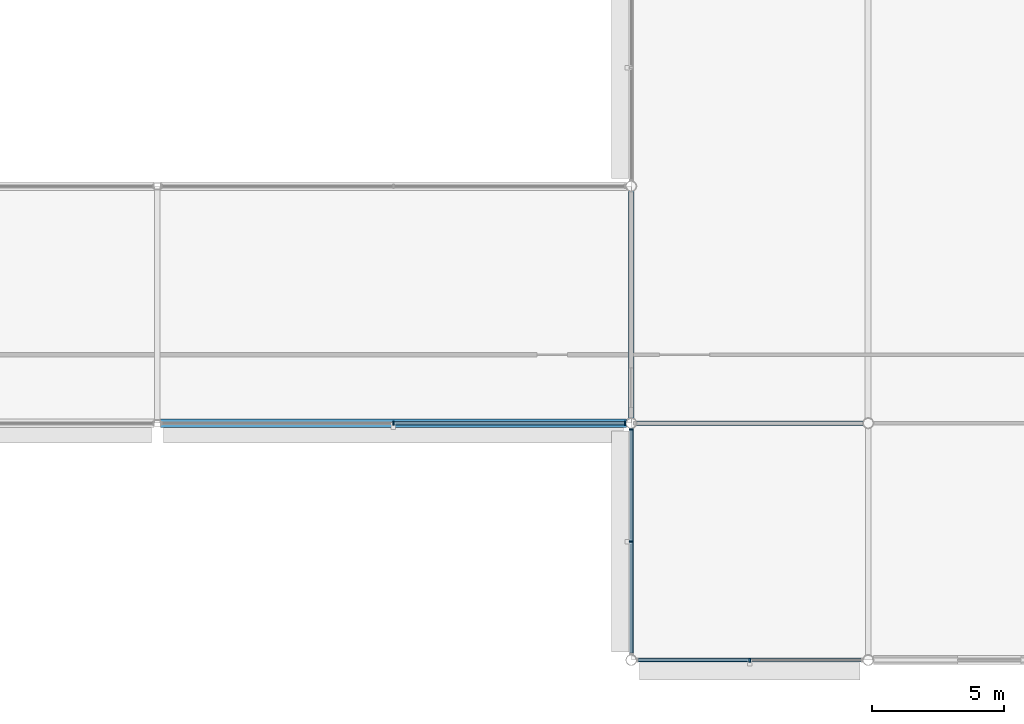
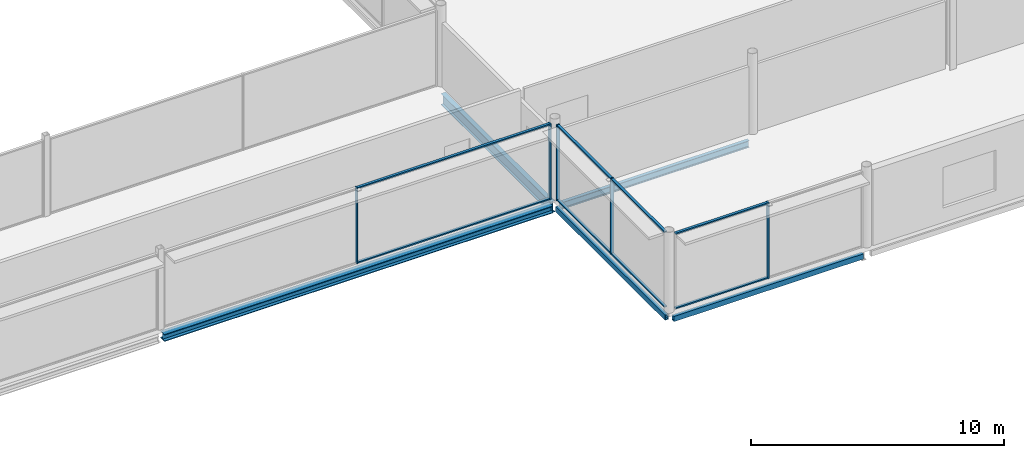
# One storey, part 40 of 96: 13 members, 5 beams, 3 elements without a shape of their own.
"""IFC4 building model written with IfcOpenShell, lengths in metres."""

import ifcopenshell
import ifcopenshell.guid

model = None  # the IFC model being written
_history = None  # IfcOwnerHistory: only IFC2X3 demands one
_inside = {}  # id of a spatial element -> (the spatial element, [elements in it])
_under = {}  # id of a project, library or spatial element -> (it, [spatial elements below it])
_declared = {}  # id of a project -> (the project, [libraries it declares])
_typed = {}  # id of a type object -> (the type object, [elements of that type])
_made_of = {}  # id of a material, layer set ... -> (it, [elements and type objects made of it])


def new_model(schema):
    """Start an empty IFC model of exactly this schema.

    Asked for "IFC4X3", IfcOpenShell would pick the latest addendum, in which some entities
    have other attributes; the version numbers below select the first issue.
    IFC2X3 requires an IfcOwnerHistory on every rooted entity: one is made here for all.
    """
    global model, _history
    if schema == "IFC4X3":
        model = ifcopenshell.file(schema_version=(4, 3, 0, 0))
    else:
        model = ifcopenshell.file(schema=schema)
    _inside.clear()
    _under.clear()
    _declared.clear()
    _typed.clear()
    _made_of.clear()
    _history = None
    if model.schema == "IFC2X3":
        org = make("IfcOrganization", Name="unknown")
        user = make(
            "IfcPersonAndOrganization",
            ThePerson=make("IfcPerson", FamilyName="unknown"),
            TheOrganization=org,
        )
        app = make(
            "IfcApplication",
            ApplicationDeveloper=org,
            Version="unknown",
            ApplicationFullName="unknown",
            ApplicationIdentifier="unknown",
        )
        _history = make(
            "IfcOwnerHistory",
            OwningUser=user,
            OwningApplication=app,
            ChangeAction="ADDED",
            CreationDate=0,
        )
    return model


def make(cls, **values):
    """One entity of the class cls with the attributes given. An attribute that is None is left unset."""
    return model.create_entity(
        cls, **{name: value for name, value in values.items() if value is not None}
    )


def rooted(cls, **values):
    """An entity with a GlobalId (a new one), such as an element, a storey or a relation."""
    return make(cls, GlobalId=ifcopenshell.guid.new(), OwnerHistory=_history, **values)


def si_unit(unit_type, name, prefix=None):
    """IfcSIUnit, for example si_unit("LENGTHUNIT", "METRE", prefix="MILLI")."""
    return make("IfcSIUnit", UnitType=unit_type, Prefix=prefix, Name=name)


def assignment(units):
    """IfcUnitAssignment: the units of a project."""
    return None if units is None else make("IfcUnitAssignment", Units=units)


def point(xyz):
    """IfcCartesianPoint."""
    return None if xyz is None else make("IfcCartesianPoint", Coordinates=xyz)


def direction(xyz):
    """IfcDirection."""
    return None if xyz is None else make("IfcDirection", DirectionRatios=xyz)


def frame(location, z_axis=None, x_axis=None):
    """IfcAxis2Placement3D, a coordinate frame: its origin and axes. An axis left out is left unset."""
    return make(
        "IfcAxis2Placement3D",
        Location=point(location),
        Axis=direction(z_axis),
        RefDirection=direction(x_axis),
    )


def frame_2d(location, x_axis=None):
    """IfcAxis2Placement2D, a coordinate frame in the plane: its origin and x axis."""
    return make(
        "IfcAxis2Placement2D", Location=point(location), RefDirection=direction(x_axis)
    )


def origin():
    """The frame at (0, 0, 0) with its axes left unset."""
    return frame((0.0, 0.0, 0.0))


def origin_2d():
    """The frame at (0, 0) in the plane with its x axis left unset."""
    return frame_2d((0.0, 0.0))


def place(relative_to, where):
    """IfcLocalPlacement: puts the frame where relative to a parent placement (None: the world)."""
    return make(
        "IfcLocalPlacement", PlacementRelTo=relative_to, RelativePlacement=where
    )


def context(
    kind, dimensions, precision=None, world=None, true_north=None, identifier=None
):
    """IfcGeometricRepresentationContext, for example the 3D "Model" context."""
    return make(
        "IfcGeometricRepresentationContext",
        ContextIdentifier=identifier,
        ContextType=kind,
        CoordinateSpaceDimension=dimensions,
        Precision=precision,
        WorldCoordinateSystem=world,
        TrueNorth=true_north,
    )


def subcontext(parent, identifier, kind, view, scale=None):
    """IfcGeometricRepresentationSubContext, for example "Body" below "Model"."""
    return make(
        "IfcGeometricRepresentationSubContext",
        ContextIdentifier=identifier,
        ContextType=kind,
        ParentContext=parent,
        TargetScale=scale,
        TargetView=view,
    )


def project(units=None, contexts=None):
    """IfcProject with its units and contexts."""
    return rooted(
        "IfcProject",
        Name="project",
        RepresentationContexts=contexts,
        UnitsInContext=assignment(units),
    )


def spatial(cls, under=None, at=None, **own):
    """A site, building, storey or space (cls), placed at a placement, below another one or the project."""
    s = rooted(cls, ObjectPlacement=at, **own)
    if under is not None:
        _under.setdefault(under.id(), (under, []))[1].append(s)
    return s


def profile(cls, at=None, kind="AREA", **sizes):
    """A parametric profile (cls). Its sizes go by their IFC names, for example OverallWidth=200.0."""
    return make(cls, ProfileType=kind, Position=at, **sizes)


def rectangle(**sizes):
    """IfcRectangleProfileDef."""
    return profile("IfcRectangleProfileDef", **sizes)


def hollow_rectangle(**sizes):
    """IfcRectangleHollowProfileDef."""
    return profile("IfcRectangleHollowProfileDef", **sizes)


def i_section(**sizes):
    """IfcIShapeProfileDef."""
    return profile("IfcIShapeProfileDef", **sizes)


def extrude(swept, where, along, depth):
    """IfcExtrudedAreaSolid: the profile swept, set in the frame where, extruded along a direction by depth."""
    return make(
        "IfcExtrudedAreaSolid",
        SweptArea=swept,
        Position=where,
        ExtrudedDirection=direction(along),
        Depth=depth,
    )


def shape(context_of_items, identifier, shape_type, items):
    """IfcShapeRepresentation: the items that make up one representation, for example the "Body"."""
    return make(
        "IfcShapeRepresentation",
        ContextOfItems=context_of_items,
        RepresentationIdentifier=identifier,
        RepresentationType=shape_type,
        Items=items,
    )


def material(Name=None, Category=None):
    """IfcMaterial."""
    return make("IfcMaterial", Name=Name, Category=Category)


def layer(
    of_material, thickness, ventilated=None, Name=None, Category=None, Priority=None
):
    """IfcMaterialLayer: one layer of a wall or slab, of a material (None: an air gap)."""
    return make(
        "IfcMaterialLayer",
        Material=of_material,
        LayerThickness=thickness,
        IsVentilated=ventilated,
        Name=Name,
        Category=Category,
        Priority=Priority,
    )


def layer_set(layers, Name=None):
    """IfcMaterialLayerSet."""
    return make("IfcMaterialLayerSet", MaterialLayers=layers, LayerSetName=Name)


def material_profile(
    of_material, cross_section, Name=None, Category=None, Priority=None
):
    """IfcMaterialProfile: a cross section and its material."""
    return make(
        "IfcMaterialProfile",
        Name=Name,
        Material=of_material,
        Profile=cross_section,
        Priority=Priority,
        Category=Category,
    )


def profile_set(profiles, Name=None, composite=None):
    """IfcMaterialProfileSet."""
    return make(
        "IfcMaterialProfileSet",
        Name=Name,
        MaterialProfiles=profiles,
        CompositeProfile=composite,
    )


def made_of(thing, what):
    """Note that an element or type object is made of a material, layer set ...; save() writes the relation."""
    if what is not None:
        _made_of.setdefault(what.id(), (what, []))[1].append(thing)
    return thing


def type_object(cls, material=None, **own):
    """A type object (cls), such as IfcWallType, which elements share."""
    return made_of(rooted(cls, **own), material)


def element(
    cls,
    number,
    at=None,
    inside=None,
    cuts=None,
    type_object=None,
    material=None,
    context=None,
    identifier="Body",
    shape_type=None,
    held_by="IfcProductDefinitionShape",
    body=None,
    shapes=None,
    **own,
):
    """One element of the class cls, such as IfcWall. Its Tag is "e" and its number.

    at: its placement. inside: the storey or other place that contains it. cuts: it is an
    opening in that element (IfcRelVoidsElement). A single representation is given by context,
    identifier, shape_type and body (its items); several are given by shapes. held_by: the class
    of the entity that holds the representations. save() writes the other relations.
    """
    e = rooted(cls, Tag="e%d" % number, ObjectPlacement=at, **own)
    if body is not None:
        shapes = [shape(context, identifier, shape_type, body)]
    if shapes is not None:
        e.Representation = make(held_by, Representations=shapes)
    if inside is not None:
        _inside.setdefault(inside.id(), (inside, []))[1].append(e)
    if cuts is not None:
        rooted(
            "IfcRelVoidsElement", RelatingBuildingElement=cuts, RelatedOpeningElement=e
        )
    if type_object is not None:
        _typed.setdefault(type_object.id(), (type_object, []))[1].append(e)
    return made_of(e, material)


def aggregate(whole, parts):
    """IfcRelAggregates: a whole, such as a stair, and the parts it consists of."""
    return rooted("IfcRelAggregates", RelatingObject=whole, RelatedObjects=parts)


def save(model, path):
    """Write the relations noted so far, then the file.

    IfcRelAggregates (storeys below a building ...), IfcRelContainedInSpatialStructure (elements
    in a storey), IfcRelDefinesByType, IfcRelAssociatesMaterial and IfcRelDeclares: one each for
    every whole, place, type object, material and project.
    """
    for whole, parts in _under.values():
        aggregate(whole, parts)
    for where, things in _inside.values():
        rooted(
            "IfcRelContainedInSpatialStructure",
            RelatedElements=things,
            RelatingStructure=where,
        )
    for kind, things in _typed.values():
        rooted("IfcRelDefinesByType", RelatedObjects=things, RelatingType=kind)
    for what, things in _made_of.values():
        rooted("IfcRelAssociatesMaterial", RelatedObjects=things, RelatingMaterial=what)
    for by, libraries in _declared.values():
        rooted("IfcRelDeclares", RelatingContext=by, RelatedDefinitions=libraries)
    model.write(path)


model = new_model("IFC4")

# Units and contexts
model_context = context("Model", 3, precision=1e-05, world=origin(), true_north=direction((0.0, 1.0)))
body_context = subcontext(model_context, "Body", "Model", "MODEL_VIEW")
ifc_project = project(units=[si_unit("LENGTHUNIT", "METRE"), si_unit("AREAUNIT", "SQUARE_METRE"), si_unit("VOLUMEUNIT", "CUBIC_METRE"), si_unit("PLANEANGLEUNIT", "RADIAN"), si_unit("MASSUNIT", "GRAM", prefix="KILO")], contexts=[model_context])

# Site, building, storey
site_placement = place(None, origin())
site = spatial("IfcSite", under=ifc_project, at=site_placement, CompositionType="ELEMENT")
building_placement = place(site_placement, origin())
building = spatial("IfcBuilding", under=site, at=building_placement, Name="Kisiwana Market Hall", CompositionType="ELEMENT")
storey_placement = place(building_placement, frame((0.0, 0.0, 25.5)))
storey = spatial("IfcBuildingStorey", under=building, at=storey_placement, Name="L05", CompositionType="ELEMENT", Elevation=25.5)

# Beams
ifc_material_1 = material(Name="Steel S355", Category="steel")
ifc_material_profile_1 = material_profile(ifc_material_1, i_section(OverallWidth=0.209228515625, OverallDepth=0.533203125, WebThickness=0.010009765625, FlangeThickness=0.015625, at=origin_2d()), Name="UB 533x210x92")
ifc_profile_set_1 = profile_set([ifc_material_profile_1], Name="Steel S355")
beam_type_1 = type_object("IfcBeamType", Name="BM-GIRD-UB533", PredefinedType="BEAM", material=ifc_profile_set_1)
beam_1_placement = place(storey_placement, frame((153.0, 18.18017578125, -0.58154296875), z_axis=(0.0, 1.0, 0.0), x_axis=(-1.0, 0.0, 0.0)))
element("IfcBeam", 1, at=beam_1_placement, inside=storey, type_object=beam_type_1, Name="Primary girder B-1549", PredefinedType="BEAM", context=body_context, shape_type="SweptSolid", body=[
    extrude(i_section(OverallWidth=0.209228515625, OverallDepth=0.533203125, WebThickness=0.010009765625, FlangeThickness=0.015625, at=origin_2d()), origin(), (0.0, 0.0, 1.0), 8.6396484375),
])
ifc_material_2 = material(Name="Steel S355", Category="steel")
ifc_material_profile_2 = material_profile(ifc_material_2, i_section(OverallWidth=0.159912109375, OverallDepth=0.330078125, WebThickness=0.007568359375, FlangeThickness=0.011474609375, FilletRadius=0.01806640625, at=origin_2d()), Name="IPE 330")
ifc_profile_set_2 = profile_set([ifc_material_profile_2], Name="Steel S355")
beam_type_2 = type_object("IfcBeamType", Name="BM-JOIST-IPE330", PredefinedType="JOIST", material=ifc_profile_set_2)
beam_2_placement = place(storey_placement, frame((153.182373046875, 18.0, -0.47998046875), z_axis=(1.0, 0.0, 0.0), x_axis=(0.0, 1.0, 0.0)))
element("IfcBeam", 2, at=beam_2_placement, inside=storey, type_object=beam_type_2, Name="Floor beam B-1613", PredefinedType="JOIST", context=body_context, shape_type="SweptSolid", body=[
    extrude(i_section(OverallWidth=0.159912109375, OverallDepth=0.330078125, WebThickness=0.007568359375, FlangeThickness=0.011474609375, FilletRadius=0.01806640625, at=origin_2d()), origin(), (0.0, 0.0, 1.0), 8.63525390625),
])
ifc_material_3 = material(Name="Steel S355", Category="steel")
ifc_material_profile_3 = material_profile(ifc_material_3, i_section(OverallWidth=0.314453125, OverallDepth=0.33984375, WebThickness=0.01904296875, FlangeThickness=0.031494140625, at=origin_2d()), Name="UC 305x305x198")
ifc_profile_set_3 = profile_set([ifc_material_profile_3], Name="Steel S355")
beam_type_3 = type_object("IfcBeamType", Name="BM-SKYBR-CHORD", PredefinedType="BEAM", material=ifc_profile_set_3)
beam_3_placement = place(storey_placement, frame((135.12109375, 18.0, -0.43505859375), z_axis=(1.0, 0.0, 0.0), x_axis=(0.0, 1.0, 0.0)))
element("IfcBeam", 3, at=beam_3_placement, inside=storey, type_object=beam_type_3, Name="Floor beam B-1612", PredefinedType="BEAM", context=body_context, shape_type="SweptSolid", body=[
    extrude(i_section(OverallWidth=0.314453125, OverallDepth=0.33984375, WebThickness=0.01904296875, FlangeThickness=0.031494140625, at=origin_2d()), origin(), (0.0, 0.0, 1.0), 17.696533203125),
])
ifc_material_4 = material(Name="Steel S355", Category="steel")
ifc_material_profile_4 = material_profile(ifc_material_4, hollow_rectangle(XDim=0.14990234375, YDim=0.25, WallThickness=0.010009765625, at=origin_2d()), Name="RHS 250x150x10.0")
ifc_profile_set_4 = profile_set([ifc_material_profile_4], Name="Steel S355")
beam_type_4 = type_object("IfcBeamType", Name="BM-SPAN-RHS250", PredefinedType="SPANDREL", material=ifc_profile_set_4)
beam_4_placement = place(storey_placement, frame((153.182373046875, 9.0, -0.43994140625), z_axis=(1.0, 0.0, 0.0), x_axis=(0.0, 1.0, 0.0)))
element("IfcBeam", 4, at=beam_4_placement, inside=storey, type_object=beam_type_4, Name="Floor beam B-1599", PredefinedType="SPANDREL", context=body_context, shape_type="SweptSolid", body=[
    extrude(hollow_rectangle(XDim=0.14990234375, YDim=0.25, WallThickness=0.010009765625, at=origin_2d()), origin(), (0.0, 0.0, 1.0), 8.63525390625),
])
beam_5_placement = place(storey_placement, frame((153.0, 9.18017578125, -0.43994140625), z_axis=(0.0, 1.0, 0.0), x_axis=(-1.0, 0.0, 0.0)))
element("IfcBeam", 5, at=beam_5_placement, inside=storey, type_object=beam_type_4, Name="Floor beam B-1683", PredefinedType="SPANDREL", context=body_context, shape_type="SweptSolid", body=[
    extrude(hollow_rectangle(XDim=0.14990234375, YDim=0.25, WallThickness=0.010009765625, at=origin_2d()), origin(), (0.0, 0.0, 1.0), 8.6396484375),
])

# Curtain wall, member
ifc_material_5 = material(Name="Double-glazed solar-control low-E IGU", Category="glass")
ifc_layer = layer(ifc_material_5, 0.159912109375)
ifc_layer_set = layer_set([ifc_layer], Name="CW-ZNA-EW-8200")
curtain_wall_type = type_object("IfcCurtainWallType", Name="CW-ZNA-EW-8200", PredefinedType="USERDEFINED", material=ifc_layer_set)
curtain_wall_1_placement = place(storey_placement, origin())
curtain_wall_1 = element("IfcCurtainWall", 6, at=curtain_wall_1_placement, inside=storey, type_object=curtain_wall_type, Name="Unitised curtain wall CW-131 (L05)", ObjectType="UNITISED CURTAIN WALL", PredefinedType="USERDEFINED")
ifc_material_6 = material(Name="Aluminium alloy 6063-T6", Category="aluminium")
ifc_material_profile_5 = material_profile(ifc_material_6, rectangle(XDim=0.06005859375, YDim=0.159912109375, at=origin_2d()), Name="ALU MULLION 60x160")
ifc_profile_set_5 = profile_set([ifc_material_profile_5], Name="Aluminium alloy 6063-T6")
member_type_1 = type_object("IfcMemberType", Name="CW-MULL-60x160", PredefinedType="MULLION", material=ifc_profile_set_5)
member_1_placement = place(storey_placement, frame((157.5, 9.0, 0.0), z_axis=(0.0, 0.0, 1.0), x_axis=(1.0, 0.0, 0.0)))
member_1 = element("IfcMember", 7, at=member_1_placement, type_object=member_type_1, Name="CW-131 mullion 2", PredefinedType="MULLION", context=body_context, shape_type="SweptSolid", body=[
    extrude(rectangle(XDim=0.06005859375, YDim=0.159912109375, at=origin_2d()), origin(), (0.0, 0.0, 1.0), 3.655029296875),
])

# Curtain wall, members
curtain_wall_2_placement = place(storey_placement, origin())
curtain_wall_2 = element("IfcCurtainWall", 8, at=curtain_wall_2_placement, inside=storey, type_object=curtain_wall_type, Name="Unitised curtain wall CW-137 (L05)", ObjectType="UNITISED CURTAIN WALL", PredefinedType="USERDEFINED")
member_2_placement = place(storey_placement, frame((143.9609375, 18.0, 0.0), z_axis=(0.0, 0.0, 1.0), x_axis=(1.0, 0.0, 0.0)))
member_2 = element("IfcMember", 9, at=member_2_placement, type_object=member_type_1, Name="CW-137 mullion 2", PredefinedType="MULLION", context=body_context, shape_type="SweptSolid", body=[
    extrude(rectangle(XDim=0.06005859375, YDim=0.159912109375, at=origin_2d()), origin(), (0.0, 0.0, 1.0), 3.655029296875),
])
member_3_placement = place(storey_placement, frame((152.766845703125, 18.0, 0.0), z_axis=(0.0, 0.0, 1.0), x_axis=(1.0, 0.0, 0.0)))
member_3 = element("IfcMember", 10, at=member_3_placement, type_object=member_type_1, Name="CW-137 mullion 3", PredefinedType="MULLION", context=body_context, shape_type="SweptSolid", body=[
    extrude(rectangle(XDim=0.06005859375, YDim=0.159912109375, at=origin_2d()), origin(), (0.0, 0.0, 1.0), 3.655029296875),
])

curtain_wall_3_placement = place(storey_placement, origin())
curtain_wall_3 = element("IfcCurtainWall", 11, at=curtain_wall_3_placement, inside=storey, type_object=curtain_wall_type, Name="Unitised curtain wall CW-164 (L05)", ObjectType="UNITISED CURTAIN WALL", PredefinedType="USERDEFINED")
member_4_placement = place(storey_placement, frame((153.0, 13.5, 0.0), z_axis=(0.0, 0.0, 1.0), x_axis=(0.0, 1.0, 0.0)))
member_4 = element("IfcMember", 12, at=member_4_placement, type_object=member_type_1, Name="CW-164 mullion 2", PredefinedType="MULLION", context=body_context, shape_type="SweptSolid", body=[
    extrude(rectangle(XDim=0.06005859375, YDim=0.159912109375, at=origin_2d()), origin(), (0.0, 0.0, 1.0), 3.655029296875),
])
member_5_placement = place(storey_placement, frame((153.0, 17.766845703125, 0.0), z_axis=(0.0, 0.0, 1.0), x_axis=(0.0, 1.0, 0.0)))
member_5 = element("IfcMember", 13, at=member_5_placement, type_object=member_type_1, Name="CW-164 mullion 3", PredefinedType="MULLION", context=body_context, shape_type="SweptSolid", body=[
    extrude(rectangle(XDim=0.06005859375, YDim=0.159912109375, at=origin_2d()), origin(), (0.0, 0.0, 1.0), 3.655029296875),
])

# Member
ifc_material_7 = material(Name="Aluminium alloy 6063-T6", Category="aluminium")
ifc_material_profile_6 = material_profile(ifc_material_7, rectangle(XDim=0.1201171875, YDim=0.06005859375, at=origin_2d()), Name="ALU TRANSOM 60x120")
ifc_profile_set_6 = profile_set([ifc_material_profile_6], Name="Aluminium alloy 6063-T6")
member_type_2 = type_object("IfcMemberType", Name="CW-TRAN-60x120", PredefinedType="USERDEFINED", material=ifc_profile_set_6)
member_6_placement = place(storey_placement, frame((153.26318359375, 9.0, 0.030029296875), z_axis=(1.0, 0.0, 0.0), x_axis=(0.0, 1.0, 0.0)))
member_6 = element("IfcMember", 14, at=member_6_placement, type_object=member_type_2, Name="CW-131 transom 1.1", ObjectType="TRANSOM", PredefinedType="USERDEFINED", context=body_context, shape_type="SweptSolid", body=[
    extrude(rectangle(XDim=0.1201171875, YDim=0.06005859375, at=origin_2d()), origin(), (0.0, 0.0, 1.0), 4.206787109375),
])

member_7_placement = place(storey_placement, frame((153.26318359375, 9.0, 3.625), z_axis=(1.0, 0.0, 0.0), x_axis=(0.0, 1.0, 0.0)))
member_7 = element("IfcMember", 15, at=member_7_placement, type_object=member_type_2, Name="CW-131 transom 1.2", ObjectType="TRANSOM", PredefinedType="USERDEFINED", context=body_context, shape_type="SweptSolid", body=[
    extrude(rectangle(XDim=0.1201171875, YDim=0.06005859375, at=origin_2d()), origin(), (0.0, 0.0, 1.0), 4.206787109375),
])

aggregate(curtain_wall_1, [member_1, member_6, member_7])

member_8_placement = place(storey_placement, frame((143.990966796875, 18.0, 0.030029296875), z_axis=(1.0, 0.0, 0.0), x_axis=(0.0, 1.0, 0.0)))
member_8 = element("IfcMember", 16, at=member_8_placement, type_object=member_type_2, Name="CW-137 transom 2.1", ObjectType="TRANSOM", PredefinedType="USERDEFINED", context=body_context, shape_type="SweptSolid", body=[
    extrude(rectangle(XDim=0.1201171875, YDim=0.06005859375, at=origin_2d()), origin(), (0.0, 0.0, 1.0), 8.745849609375),
])

member_9_placement = place(storey_placement, frame((143.990966796875, 18.0, 3.625), z_axis=(1.0, 0.0, 0.0), x_axis=(0.0, 1.0, 0.0)))
member_9 = element("IfcMember", 17, at=member_9_placement, type_object=member_type_2, Name="CW-137 transom 2.2", ObjectType="TRANSOM", PredefinedType="USERDEFINED", context=body_context, shape_type="SweptSolid", body=[
    extrude(rectangle(XDim=0.1201171875, YDim=0.06005859375, at=origin_2d()), origin(), (0.0, 0.0, 1.0), 8.745849609375),
])

aggregate(curtain_wall_2, [member_2, member_3, member_8, member_9])

member_10_placement = place(storey_placement, frame((153.0, 9.26318359375, 0.030029296875), z_axis=(0.0, 1.0, 0.0), x_axis=(-1.0, 0.0, 0.0)))
member_10 = element("IfcMember", 18, at=member_10_placement, type_object=member_type_2, Name="CW-164 transom 1.1", ObjectType="TRANSOM", PredefinedType="USERDEFINED", context=body_context, shape_type="SweptSolid", body=[
    extrude(rectangle(XDim=0.1201171875, YDim=0.06005859375, at=origin_2d()), origin(), (0.0, 0.0, 1.0), 4.206787109375),
])

member_11_placement = place(storey_placement, frame((153.0, 9.26318359375, 3.625), z_axis=(0.0, 1.0, 0.0), x_axis=(-1.0, 0.0, 0.0)))
member_11 = element("IfcMember", 19, at=member_11_placement, type_object=member_type_2, Name="CW-164 transom 1.2", ObjectType="TRANSOM", PredefinedType="USERDEFINED", context=body_context, shape_type="SweptSolid", body=[
    extrude(rectangle(XDim=0.1201171875, YDim=0.06005859375, at=origin_2d()), origin(), (0.0, 0.0, 1.0), 4.206787109375),
])

member_12_placement = place(storey_placement, frame((153.0, 13.530029296875, 0.030029296875), z_axis=(0.0, 1.0, 0.0), x_axis=(-1.0, 0.0, 0.0)))
member_12 = element("IfcMember", 20, at=member_12_placement, type_object=member_type_2, Name="CW-164 transom 2.1", ObjectType="TRANSOM", PredefinedType="USERDEFINED", context=body_context, shape_type="SweptSolid", body=[
    extrude(rectangle(XDim=0.1201171875, YDim=0.06005859375, at=origin_2d()), origin(), (0.0, 0.0, 1.0), 4.206787109375),
])

member_13_placement = place(storey_placement, frame((153.0, 13.530029296875, 3.625), z_axis=(0.0, 1.0, 0.0), x_axis=(-1.0, 0.0, 0.0)))
member_13 = element("IfcMember", 21, at=member_13_placement, type_object=member_type_2, Name="CW-164 transom 2.2", ObjectType="TRANSOM", PredefinedType="USERDEFINED", context=body_context, shape_type="SweptSolid", body=[
    extrude(rectangle(XDim=0.1201171875, YDim=0.06005859375, at=origin_2d()), origin(), (0.0, 0.0, 1.0), 4.206787109375),
])

aggregate(curtain_wall_3, [member_4, member_5, member_10, member_11, member_12, member_13])

save(model, "model.ifc")
